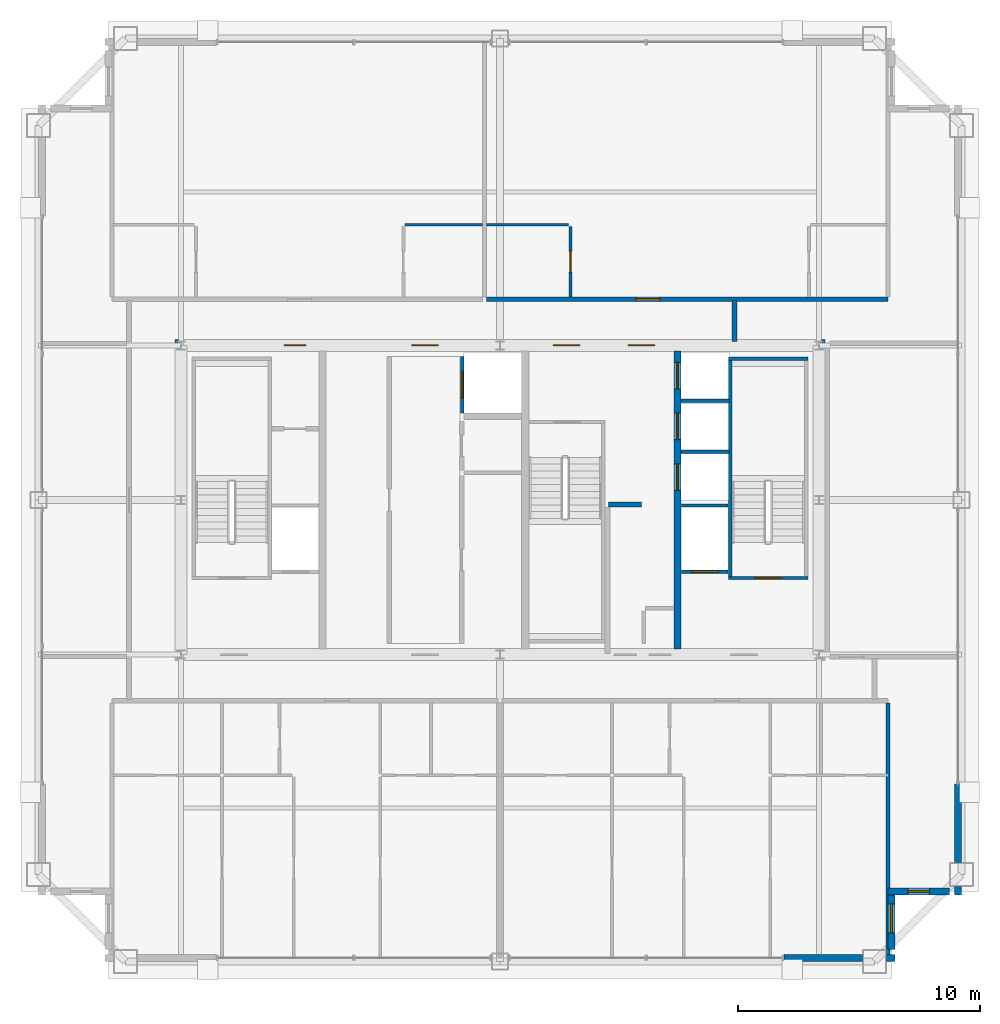
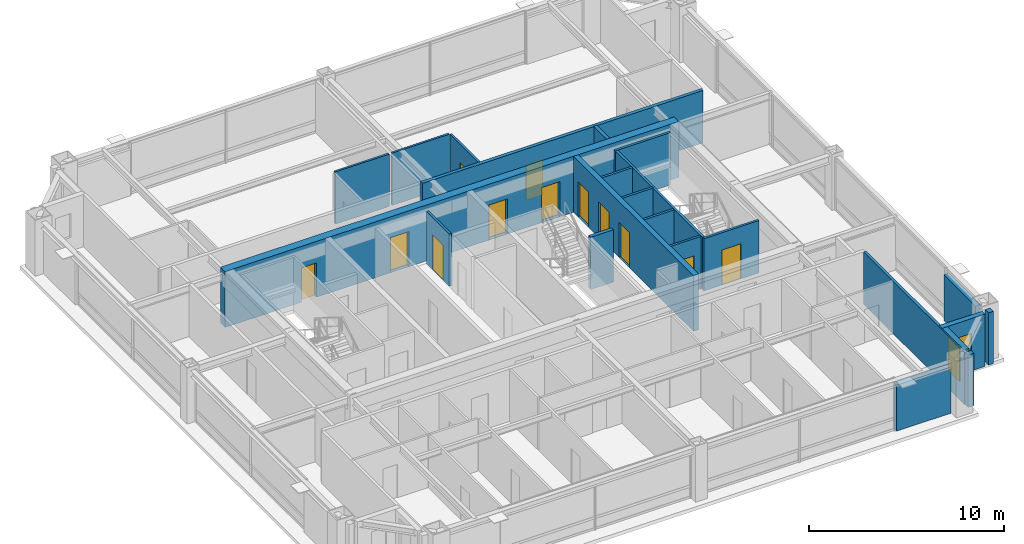
# One storey, part 32 of 34: 23 walls, 12 doors, 2 windows, 14 openings.
"""IFC4 building model written with IfcOpenShell, lengths in metres."""

from ifc_helpers import new_model, si_unit, direction, frame, frame_2d, origin, place, context, subcontext, project, spatial, rectangle, extrude, source, transform, mapped, material, layer, layer_set, type_object, element, fill, save


model = new_model("IFC4")

# Units and contexts
model_context = context("Model", 3, precision=1e-05, world=origin(), true_north=direction((0.0, 1.0)))
body_context = subcontext(model_context, "Body", "Model", "MODEL_VIEW")
ifc_project = project(units=[si_unit("LENGTHUNIT", "METRE"), si_unit("AREAUNIT", "SQUARE_METRE"), si_unit("VOLUMEUNIT", "CUBIC_METRE"), si_unit("PLANEANGLEUNIT", "RADIAN"), si_unit("MASSUNIT", "GRAM", prefix="KILO"), si_unit("THERMODYNAMICTEMPERATUREUNIT", "KELVIN"), si_unit("POWERUNIT", "WATT")], contexts=[model_context])

# Site, building, storey
site_placement = place(None, origin())
site = spatial("IfcSite", under=ifc_project, at=site_placement, CompositionType="ELEMENT")
building_placement = place(site_placement, origin())
building = spatial("IfcBuilding", under=site, at=building_placement, Name="Yuzanri Waterfront Tower", CompositionType="ELEMENT")
storey_placement = place(building_placement, frame((0.0, 0.0, 325.199951171875)))
storey = spatial("IfcBuildingStorey", under=building, at=storey_placement, Name="L87", CompositionType="ELEMENT", Elevation=325.199951171875)

# Wall, opening, door
ifc_material_1 = material(Name="Moisture-Resistant Gypsum Stud Wall", Category="gypsum")
ifc_layer_1 = layer(ifc_material_1, 0.1201171875)
ifc_layer_set_1 = layer_set([ifc_layer_1], Name="Moisture-Resistant Gypsum Stud Wall")
wall_type_1 = type_object("IfcWallType", Name="Bathroom and Kitchen Wet Partition 120", PredefinedType="PARTITIONING", material=ifc_layer_set_1)
wall_1_placement = place(storey_placement, frame((39.91796875, 34.2099609375, 0.0), z_axis=(0.0, 0.0, 1.0), x_axis=(0.0, 1.0, 0.0)))
wall_1 = element("IfcWall", 1, at=wall_1_placement, inside=storey, type_object=wall_type_1, Name="L87 Partition UW-L87-HN2-SUB-1-E", PredefinedType="PARTITIONING", context=body_context, shape_type="SweptSolid", body=[
    extrude(rectangle(XDim=2.900146484375, YDim=0.1201171875, at=frame_2d((1.4501953125, 0.0))), origin(), (0.0, 0.0, 1.0), 3.280029296875),
])
opening_1_placement = place(wall_1_placement, frame((1.02490234375, 0.0, 0.0)))
opening_1 = element("IfcOpeningElement", 2, at=opening_1_placement, cuts=wall_1, Name="Opening ID-0850", PredefinedType="OPENING", context=body_context, shape_type="SweptSolid", body=[
    extrude(rectangle(XDim=0.85009765625, YDim=2.10009765625, at=frame_2d((0.425048828125, 1.050048828125))), frame((0.0, 0.074951171875, 0.0), z_axis=(0.0, -1.0, 0.0), x_axis=(1.0, 0.0, 0.0)), (0.0, 0.0, 1.0), 0.14990234375),
])
ifc_material_2 = material(Name="Moisture-Resistant Lacquered Timber", Category="wood")
door_type_1 = type_object("IfcDoorType", Name="En-Suite Bathroom and Kitchen Swing Door 850x2100", OperationType="NOTDEFINED", PredefinedType="DOOR", material=ifc_material_2)
shared_shape_1 = source(origin(), body_context, "Body", "SweptSolid", [
    extrude(rectangle(XDim=0.85009765625, YDim=2.10009765625, at=frame_2d((0.425048828125, 1.050048828125))), frame((0.0, 0.02490234375, 0.0), z_axis=(0.0, -1.0, 0.0), x_axis=(1.0, 0.0, 0.0)), (0.0, 0.0, 1.0), 0.050048828125),
])
door_1_placement = place(opening_1_placement, origin())
door_1 = element("IfcDoor", 3, at=door_1_placement, inside=storey, type_object=door_type_1, Name="L87 Suite Interior Room Door", OperationType="SINGLE_SWING_RIGHT", OverallHeight=2.10009765625, OverallWidth=0.85009765625, PredefinedType="DOOR", context=body_context, shape_type="MappedRepresentation", body=[
    mapped(shared_shape_1, transform((0.0, 0.0, 0.0), scale=1.0)),
])
fill(opening_1, door_1)

# Wall, opening, window
ifc_material_3 = material(Name="Honed Chongqing Dark Basalt Stone", Category="masonry")
ifc_layer_2 = layer(ifc_material_3, 0.300048828125)
ifc_layer_set_2 = layer_set([ifc_layer_2], Name="Honed Chongqing Dark Basalt Stone")
wall_type_2 = type_object("IfcWallType", Name="Bronze Rainscreen Insulated Spandrel Portal Wall 300", PredefinedType="SOLIDWALL", material=ifc_layer_set_2)
wall_2_placement = place(storey_placement, frame((53.050048828125, 9.60009765625, 0.0), z_axis=(0.0, 0.0, 1.0), x_axis=(1.0, 0.0, 0.0)))
wall_2 = element("IfcWall", 4, at=wall_2_placement, inside=storey, type_object=wall_type_2, Name="L87 Notched Corner Masonry Wall SE-X", PredefinedType="SOLIDWALL", context=body_context, shape_type="SweptSolid", body=[
    extrude(rectangle(XDim=2.550048828125, YDim=0.300048828125, at=frame_2d((1.27490234375, 0.0))), origin(), (0.0, 0.0, 1.0), 3.280029296875),
])
opening_2_placement = place(wall_2_placement, frame((0.824951171875, 0.0, 0.85009765625)))
opening_2 = element("IfcOpeningElement", 5, at=opening_2_placement, cuts=wall_2, Name="Opening WN-05", PredefinedType="OPENING", context=body_context, shape_type="SweptSolid", body=[
    extrude(rectangle(XDim=0.89990234375, YDim=1.5, at=frame_2d((0.449951171875, 0.75))), frame((0.0, 0.1650390625, 0.0), z_axis=(0.0, -1.0, 0.0), x_axis=(1.0, 0.0, 0.0)), (0.0, 0.0, 1.0), 0.329833984375),
])
ifc_material_4 = material(Name="Double-Silver Low-E Insulated Glass", Category="glass")
window_type_1 = type_object("IfcWindowType", Name="Anodized Bronze Service and Stairwell Smoke-Vent Window 900x1500", PartitioningType="SINGLE_PANEL", PredefinedType="WINDOW", material=ifc_material_4)
shared_shape_2 = source(origin(), body_context, "Body", "SweptSolid", [
    extrude(rectangle(XDim=0.89990234375, YDim=1.5, at=frame_2d((0.449951171875, 0.75))), frame((0.0, 0.030029296875, 0.0), z_axis=(0.0, -1.0, 0.0), x_axis=(1.0, 0.0, 0.0)), (0.0, 0.0, 1.0), 0.06005859375),
])
window_1_placement = place(opening_2_placement, origin())
window_1 = element("IfcWindow", 6, at=window_1_placement, inside=storey, type_object=window_type_1, Name="L87 Notched Corner Window SE-X", OverallHeight=1.5, OverallWidth=0.89990234375, PartitioningType="SINGLE_PANEL", PredefinedType="WINDOW", context=body_context, shape_type="MappedRepresentation", body=[
    mapped(shared_shape_2, transform((0.0, 0.0, 0.0), scale=1.0)),
])
fill(opening_2, window_1)

wall_3_placement = place(storey_placement, frame((53.199951171875, 7.199951171875, 0.0), z_axis=(0.0, 0.0, 1.0), x_axis=(0.0, 1.0, 0.0)))
wall_3 = element("IfcWall", 7, at=wall_3_placement, inside=storey, type_object=wall_type_2, Name="L87 Notched Corner Masonry Wall SE-Y", PredefinedType="SOLIDWALL", context=body_context, shape_type="SweptSolid", body=[
    extrude(rectangle(XDim=2.550048828125, YDim=0.300048828125, at=frame_2d((1.27490234375, 0.0))), origin(), (0.0, 0.0, 1.0), 3.280029296875),
])
opening_3_placement = place(wall_3_placement, frame((0.675048828125, 0.0, 0.85009765625)))
opening_3 = element("IfcOpeningElement", 8, at=opening_3_placement, cuts=wall_3, Name="Opening WN-02", PredefinedType="OPENING", context=body_context, shape_type="SweptSolid", body=[
    extrude(rectangle(XDim=1.199951171875, YDim=2.10009765625, at=frame_2d((0.60009765625, 1.050048828125))), frame((0.0, 0.1650390625, 0.0), z_axis=(0.0, -1.0, 0.0), x_axis=(1.0, 0.0, 0.0)), (0.0, 0.0, 1.0), 0.329833984375),
])
ifc_material_5 = material(Name="Double-Silver Low-E Insulated Glass", Category="glass")
window_type_2 = type_object("IfcWindowType", Name="Anodized Bronze Notched Corner Deep-Set Slot Window 1200x2100", PartitioningType="SINGLE_PANEL", PredefinedType="WINDOW", material=ifc_material_5)
shared_shape_3 = source(origin(), body_context, "Body", "SweptSolid", [
    extrude(rectangle(XDim=1.199951171875, YDim=2.10009765625, at=frame_2d((0.60009765625, 1.050048828125))), frame((0.0, 0.030029296875, 0.0), z_axis=(0.0, -1.0, 0.0), x_axis=(1.0, 0.0, 0.0)), (0.0, 0.0, 1.0), 0.06005859375),
])
window_2_placement = place(opening_3_placement, origin())
window_2 = element("IfcWindow", 9, at=window_2_placement, inside=storey, type_object=window_type_2, Name="L87 Notched Corner Window SE-Y", OverallHeight=2.10009765625, OverallWidth=1.199951171875, PartitioningType="SINGLE_PANEL", PredefinedType="WINDOW", context=body_context, shape_type="MappedRepresentation", body=[
    mapped(shared_shape_3, transform((0.0, 0.0, 0.0), scale=1.0)),
])
fill(opening_3, window_2)

# Wall, openings, doors
ifc_material_6 = material(Name="Concrete C45", Category="concrete")
ifc_layer_3 = layer(ifc_material_6, 0.47998046875)
ifc_layer_set_3 = layer_set([ifc_layer_3], Name="Concrete C45")
wall_type_3 = type_object("IfcWallType", Name="Concrete C45 High-Rise Core Shear Wall 480", PredefinedType="SHEAR", material=ifc_layer_set_3)
wall_4_placement = place(storey_placement, frame((23.56005859375, 32.199951171875, 0.0), z_axis=(0.0, 0.0, 1.0), x_axis=(1.0, 0.0, 0.0)))
wall_4 = element("IfcWall", 10, at=wall_4_placement, inside=storey, type_object=wall_type_3, Name="L87 Core North Shear Wall", PredefinedType="SHEAR", context=body_context, shape_type="SweptSolid", body=[
    extrude(rectangle(XDim=26.8798828125, YDim=0.47998046875, at=frame_2d((13.43994140625, 0.0))), origin(), (0.0, 0.0, 1.0), 3.5),
])
opening_4_placement = place(wall_4_placement, frame((4.510009765625, 0.0, 0.0)))
opening_4 = element("IfcOpeningElement", 11, at=opening_4_placement, cuts=wall_4, Name="Opening FD-0900", PredefinedType="OPENING", context=body_context, shape_type="SweptSolid", body=[
    extrude(rectangle(XDim=0.89990234375, YDim=2.14990234375, at=frame_2d((0.449951171875, 1.074951171875))), frame((0.0, 0.2548828125, 0.0), z_axis=(0.0, -1.0, 0.0), x_axis=(1.0, 0.0, 0.0)), (0.0, 0.0, 1.0), 0.509765625),
])
opening_5_placement = place(wall_4_placement, frame((9.7900390625, 0.0, 0.0)))
opening_5 = element("IfcOpeningElement", 12, at=opening_5_placement, cuts=wall_4, Name="Opening FD-1100", PredefinedType="OPENING", context=body_context, shape_type="SweptSolid", body=[
    extrude(rectangle(XDim=1.10009765625, YDim=2.199951171875, at=frame_2d((0.550048828125, 1.10009765625))), frame((0.0, 0.2548828125, 0.0), z_axis=(0.0, -1.0, 0.0), x_axis=(1.0, 0.0, 0.0)), (0.0, 0.0, 1.0), 0.509765625),
])
opening_6_placement = place(wall_4_placement, frame((15.639892578125, 0.0, 0.0)))
opening_6 = element("IfcOpeningElement", 13, at=opening_6_placement, cuts=wall_4, Name="Opening FD-1100", PredefinedType="OPENING", context=body_context, shape_type="SweptSolid", body=[
    extrude(rectangle(XDim=1.10009765625, YDim=2.199951171875, at=frame_2d((0.550048828125, 1.10009765625))), frame((0.0, 0.2548828125, 0.0), z_axis=(0.0, -1.0, 0.0), x_axis=(1.0, 0.0, 0.0)), (0.0, 0.0, 1.0), 0.509765625),
])
opening_7_placement = place(wall_4_placement, frame((18.739990234375, 0.0, 0.0)))
opening_7 = element("IfcOpeningElement", 14, at=opening_7_placement, cuts=wall_4, Name="Opening FD-1100", PredefinedType="OPENING", context=body_context, shape_type="SweptSolid", body=[
    extrude(rectangle(XDim=1.10009765625, YDim=2.199951171875, at=frame_2d((0.550048828125, 1.10009765625))), frame((0.0, 0.2548828125, 0.0), z_axis=(0.0, -1.0, 0.0), x_axis=(1.0, 0.0, 0.0)), (0.0, 0.0, 1.0), 0.509765625),
])
ifc_material_7 = material(Name="Painted Galvanized Fire Steel", Category="steel")
door_type_2 = type_object("IfcDoorType", Name="Smoke-Proof Stair and Lobby Fire Door 1100x2200", OperationType="NOTDEFINED", PredefinedType="DOOR", material=ifc_material_7)
shared_shape_4 = source(origin(), body_context, "Body", "SweptSolid", [
    extrude(rectangle(XDim=1.10009765625, YDim=2.199951171875, at=frame_2d((0.550048828125, 1.10009765625))), frame((0.0, 0.02490234375, 0.0), z_axis=(0.0, -1.0, 0.0), x_axis=(1.0, 0.0, 0.0)), (0.0, 0.0, 1.0), 0.050048828125),
])
door_2_placement = place(opening_5_placement, origin())
door_2 = element("IfcDoor", 15, at=door_2_placement, inside=storey, type_object=door_type_2, Name="L87 Central Lift Lobby North Door", OperationType="SINGLE_SWING_LEFT", OverallHeight=2.199951171875, OverallWidth=1.10009765625, PredefinedType="DOOR", context=body_context, shape_type="MappedRepresentation", body=[
    mapped(shared_shape_4, transform((0.0, 0.0, 0.0), scale=1.0)),
])
fill(opening_5, door_2)
door_3_placement = place(opening_6_placement, origin())
door_3 = element("IfcDoor", 16, at=door_3_placement, inside=storey, type_object=door_type_2, Name="L87 North Stair Lobby Door", OperationType="SINGLE_SWING_RIGHT", OverallHeight=2.199951171875, OverallWidth=1.10009765625, PredefinedType="DOOR", context=body_context, shape_type="MappedRepresentation", body=[
    mapped(shared_shape_4, transform((0.0, 0.0, 0.0), scale=1.0)),
])
fill(opening_6, door_3)
door_4_placement = place(opening_7_placement, origin())
door_4 = element("IfcDoor", 17, at=door_4_placement, inside=storey, type_object=door_type_2, Name="L87 High-Rise Lift Lobby North Door", OperationType="SINGLE_SWING_LEFT", OverallHeight=2.199951171875, OverallWidth=1.10009765625, PredefinedType="DOOR", context=body_context, shape_type="MappedRepresentation", body=[
    mapped(shared_shape_4, transform((0.0, 0.0, 0.0), scale=1.0)),
])
fill(opening_7, door_4)
ifc_material_8 = material(Name="Painted Galvanized Fire Steel", Category="steel")
door_type_3 = type_object("IfcDoorType", Name="Riser and Service Room Fire Door 900x2150", OperationType="NOTDEFINED", PredefinedType="DOOR", material=ifc_material_8)
shared_shape_5 = source(origin(), body_context, "Body", "SweptSolid", [
    extrude(rectangle(XDim=0.89990234375, YDim=2.14990234375, at=frame_2d((0.449951171875, 1.074951171875))), frame((0.0, 0.02490234375, 0.0), z_axis=(0.0, -1.0, 0.0), x_axis=(1.0, 0.0, 0.0)), (0.0, 0.0, 1.0), 0.050048828125),
])
door_5_placement = place(opening_4_placement, origin())
door_5 = element("IfcDoor", 18, at=door_5_placement, inside=storey, type_object=door_type_3, Name="L87 Telecom Riser Door", OperationType="SINGLE_SWING_RIGHT", OverallHeight=2.14990234375, OverallWidth=0.89990234375, PredefinedType="DOOR", context=body_context, shape_type="MappedRepresentation", body=[
    mapped(shared_shape_5, transform((0.0, 0.0, 0.0), scale=1.0)),
])
fill(opening_4, door_5)

ifc_material_9 = material(Name="Concrete C50", Category="concrete")
ifc_layer_4 = layer(ifc_material_9, 0.300048828125)
ifc_layer_set_4 = layer_set([ifc_layer_4], Name="Concrete C50")
wall_type_4 = type_object("IfcWallType", Name="Concrete C50 Internal Core Shaft Structural Wall 300", PredefinedType="SOLIDWALL", material=ifc_layer_set_4)
wall_5_placement = place(storey_placement, frame((44.35009765625, 19.639892578125, 0.0), z_axis=(0.0, 0.0, 1.0), x_axis=(0.0, 1.0, 0.0)))
wall_5 = element("IfcWall", 19, at=wall_5_placement, inside=storey, type_object=wall_type_4, Name="L87 Core Internal Structural Web Wall 3", PredefinedType="SOLIDWALL", context=body_context, shape_type="SweptSolid", body=[
    extrude(rectangle(XDim=12.320068359375, YDim=0.300048828125, at=frame_2d((6.16015625, 0.0))), origin(), (0.0, 0.0, 1.0), 3.5),
])
opening_8_placement = place(wall_5_placement, frame((6.56005859375, 0.0, 0.0)))
opening_8 = element("IfcOpeningElement", 20, at=opening_8_placement, cuts=wall_5, Name="Opening LD-PL-09", PredefinedType="OPENING", context=body_context, shape_type="SweptSolid", body=[
    extrude(rectangle(XDim=1.10009765625, YDim=2.199951171875, at=frame_2d((0.550048828125, 1.10009765625))), frame((0.0, 0.1650390625, 0.0), z_axis=(0.0, -1.0, 0.0), x_axis=(1.0, 0.0, 0.0)), (0.0, 0.0, 1.0), 0.329833984375),
])
opening_9_placement = place(wall_5_placement, frame((8.659912109375, 0.0, 0.0)))
opening_9 = element("IfcOpeningElement", 21, at=opening_9_placement, cuts=wall_5, Name="Opening LD-PL-10", PredefinedType="OPENING", context=body_context, shape_type="SweptSolid", body=[
    extrude(rectangle(XDim=1.10009765625, YDim=2.199951171875, at=frame_2d((0.550048828125, 1.10009765625))), frame((0.0, 0.1650390625, 0.0), z_axis=(0.0, -1.0, 0.0), x_axis=(1.0, 0.0, 0.0)), (0.0, 0.0, 1.0), 0.329833984375),
])
opening_10_placement = place(wall_5_placement, frame((10.760009765625, 0.0, 0.0)))
opening_10 = element("IfcOpeningElement", 22, at=opening_10_placement, cuts=wall_5, Name="Opening LD-PL-11", PredefinedType="OPENING", context=body_context, shape_type="SweptSolid", body=[
    extrude(rectangle(XDim=1.10009765625, YDim=2.199951171875, at=frame_2d((0.550048828125, 1.10009765625))), frame((0.0, 0.1650390625, 0.0), z_axis=(0.0, -1.0, 0.0), x_axis=(1.0, 0.0, 0.0)), (0.0, 0.0, 1.0), 0.329833984375),
])
ifc_material_10 = material(Name="Brushed Bronze and Stainless Steel Cab", Category="steel")
door_type_4 = type_object("IfcDoorType", Name="Center-Parting Bronze Lift Landing Sliding Door 1100x2200", OperationType="NOTDEFINED", PredefinedType="DOOR", material=ifc_material_10)
shared_shape_6 = source(origin(), body_context, "Body", "SweptSolid", [
    extrude(rectangle(XDim=1.10009765625, YDim=2.199951171875, at=frame_2d((0.550048828125, 1.10009765625))), frame((0.0, 0.02490234375, 0.0), z_axis=(0.0, -1.0, 0.0), x_axis=(1.0, 0.0, 0.0)), (0.0, 0.0, 1.0), 0.050048828125),
])
door_6_placement = place(opening_8_placement, origin())
door_6 = element("IfcDoor", 23, at=door_6_placement, inside=storey, type_object=door_type_4, Name="L87 PL-09 Lift Landing Sliding Door", OperationType="SLIDING_TO_LEFT", OverallHeight=2.199951171875, OverallWidth=1.10009765625, PredefinedType="DOOR", context=body_context, shape_type="MappedRepresentation", body=[
    mapped(shared_shape_6, transform((0.0, 0.0, 0.0), scale=1.0)),
])
fill(opening_8, door_6)
door_7_placement = place(opening_9_placement, origin())
door_7 = element("IfcDoor", 24, at=door_7_placement, inside=storey, type_object=door_type_4, Name="L87 PL-10 Lift Landing Sliding Door", OperationType="SLIDING_TO_RIGHT", OverallHeight=2.199951171875, OverallWidth=1.10009765625, PredefinedType="DOOR", context=body_context, shape_type="MappedRepresentation", body=[
    mapped(shared_shape_6, transform((0.0, 0.0, 0.0), scale=1.0)),
])
fill(opening_9, door_7)
door_8_placement = place(opening_10_placement, origin())
door_8 = element("IfcDoor", 25, at=door_8_placement, inside=storey, type_object=door_type_4, Name="L87 PL-11 Lift Landing Sliding Door", OperationType="SLIDING_TO_LEFT", OverallHeight=2.199951171875, OverallWidth=1.10009765625, PredefinedType="DOOR", context=body_context, shape_type="MappedRepresentation", body=[
    mapped(shared_shape_6, transform((0.0, 0.0, 0.0), scale=1.0)),
])
fill(opening_10, door_8)

# Wall, opening, door
ifc_material_11 = material(Name="Concrete C40", Category="concrete")
ifc_layer_5 = layer(ifc_material_11, 0.139892578125)
ifc_layer_set_5 = layer_set([ifc_layer_5], Name="Concrete C40")
wall_type_5 = type_object("IfcWallType", Name="Core Stair Liner and Hoistway Shaft Wall 140", PredefinedType="SOLIDWALL", material=ifc_layer_set_5)
wall_6_placement = place(storey_placement, frame((44.52001953125, 22.830078125, 0.0), z_axis=(0.0, 0.0, 1.0), x_axis=(1.0, 0.0, 0.0)))
wall_6 = element("IfcWall", 26, at=wall_6_placement, inside=storey, type_object=wall_type_5, Name="L87 Lift FL-02 Front Shaft Wall", PredefinedType="SOLIDWALL", context=body_context, shape_type="SweptSolid", body=[
    extrude(rectangle(XDim=1.919921875, YDim=0.139892578125, at=frame_2d((0.9599609375, 0.0))), origin(), (0.0, 0.0, 1.0), 3.280029296875),
])
opening_11_placement = place(wall_6_placement, frame((0.409912109375, 0.0, 0.0)))
opening_11 = element("IfcOpeningElement", 27, at=opening_11_placement, cuts=wall_6, Name="Opening LD-FL-02", PredefinedType="OPENING", context=body_context, shape_type="SweptSolid", body=[
    extrude(rectangle(XDim=1.10009765625, YDim=2.199951171875, at=frame_2d((0.550048828125, 1.10009765625))), frame((0.0, 0.0849609375, 0.0), z_axis=(0.0, -1.0, 0.0), x_axis=(1.0, 0.0, 0.0)), (0.0, 0.0, 1.0), 0.169677734375),
])
door_9_placement = place(opening_11_placement, origin())
door_9 = element("IfcDoor", 28, at=door_9_placement, inside=storey, type_object=door_type_4, Name="L87 FL-02 Lift Landing Sliding Door", OperationType="SLIDING_TO_RIGHT", OverallHeight=2.199951171875, OverallWidth=1.10009765625, PredefinedType="DOOR", context=body_context, shape_type="MappedRepresentation", body=[
    mapped(shared_shape_6, transform((0.0, 0.0, 0.0), scale=1.0)),
])
fill(opening_11, door_9)

wall_7_placement = place(storey_placement, frame((35.429931640625, 29.39990234375, 0.0), z_axis=(0.0, 0.0, 1.0), x_axis=(0.0, 1.0, 0.0)))
wall_7 = element("IfcWall", 29, at=wall_7_placement, inside=storey, type_object=wall_type_5, Name="L87 Lift SL-02 Front Shaft Wall", PredefinedType="SOLIDWALL", context=body_context, shape_type="SweptSolid", body=[
    extrude(rectangle(XDim=2.340087890625, YDim=0.139892578125, at=frame_2d((1.169921875, 0.0))), origin(), (0.0, 0.0, 1.0), 3.280029296875),
])
opening_12_placement = place(wall_7_placement, frame((0.6201171875, 0.0, 0.0)))
opening_12 = element("IfcOpeningElement", 30, at=opening_12_placement, cuts=wall_7, Name="Opening LD-SL-02", PredefinedType="OPENING", context=body_context, shape_type="SweptSolid", body=[
    extrude(rectangle(XDim=1.10009765625, YDim=2.199951171875, at=frame_2d((0.550048828125, 1.10009765625))), frame((0.0, 0.0849609375, 0.0), z_axis=(0.0, -1.0, 0.0), x_axis=(1.0, 0.0, 0.0)), (0.0, 0.0, 1.0), 0.169677734375),
])
door_10_placement = place(opening_12_placement, origin())
door_10 = element("IfcDoor", 31, at=door_10_placement, inside=storey, type_object=door_type_4, Name="L87 SL-02 Lift Landing Sliding Door", OperationType="SLIDING_TO_RIGHT", OverallHeight=2.199951171875, OverallWidth=1.10009765625, PredefinedType="DOOR", context=body_context, shape_type="MappedRepresentation", body=[
    mapped(shared_shape_6, transform((0.0, 0.0, 0.0), scale=1.0)),
])
fill(opening_12, door_10)

wall_8_placement = place(storey_placement, frame((46.4599609375, 22.570068359375, 0.0), z_axis=(0.0, 0.0, 1.0), x_axis=(1.0, 0.0, 0.0)))
wall_8 = element("IfcWall", 32, at=wall_8_placement, inside=storey, type_object=wall_type_5, Name="L87 Shaft Wall STW-L87-ST-02-S", PredefinedType="SOLIDWALL", context=body_context, shape_type="SweptSolid", body=[
    extrude(rectangle(XDim=3.280029296875, YDim=0.139892578125, at=frame_2d((1.64013671875, 0.0))), origin(), (0.0, 0.0, 1.0), 3.280029296875),
])
opening_13_placement = place(wall_8_placement, frame((1.090087890625, 0.0, 0.0)))
opening_13 = element("IfcOpeningElement", 33, at=opening_13_placement, cuts=wall_8, Name="Opening FD-1100", PredefinedType="OPENING", context=body_context, shape_type="SweptSolid", body=[
    extrude(rectangle(XDim=1.10009765625, YDim=2.199951171875, at=frame_2d((0.550048828125, 1.10009765625))), frame((0.0, 0.0849609375, 0.0), z_axis=(0.0, -1.0, 0.0), x_axis=(1.0, 0.0, 0.0)), (0.0, 0.0, 1.0), 0.169677734375),
])
door_11_placement = place(opening_13_placement, origin())
door_11 = element("IfcDoor", 34, at=door_11_placement, inside=storey, type_object=door_type_2, Name="L87 Stair ST-02 Fire Door", OperationType="SINGLE_SWING_LEFT", OverallHeight=2.199951171875, OverallWidth=1.10009765625, PredefinedType="DOOR", context=body_context, shape_type="MappedRepresentation", body=[
    mapped(shared_shape_4, transform((0.0, 0.0, 0.0), scale=1.0)),
])
fill(opening_13, door_11)

ifc_material_12 = material(Name="Autoclaved Aerated Concrete Blockwork", Category="masonry")
ifc_layer_6 = layer(ifc_material_12, 0.199951171875)
ifc_layer_set_6 = layer_set([ifc_layer_6], Name="Autoclaved Aerated Concrete Blockwork")
wall_type_6 = type_object("IfcWallType", Name="Corridor and Unit Party Fire Wall 200", PredefinedType="PARTITIONING", material=ifc_layer_set_6)
wall_9_placement = place(storey_placement, frame((36.43798828125, 34.110107421875, 0.0), z_axis=(0.0, 0.0, 1.0), x_axis=(1.0, 0.0, 0.0)))
wall_9 = element("IfcWall", 35, at=wall_9_placement, inside=storey, type_object=wall_type_6, Name="L87 Partition UW-L87-HN2-CS", PredefinedType="PARTITIONING", context=body_context, shape_type="SweptSolid", body=[
    extrude(rectangle(XDim=16.6220703125, YDim=0.199951171875, at=frame_2d((8.31103515625, 0.0))), origin(), (0.0, 0.0, 1.0), 3.280029296875),
])
opening_14_placement = place(wall_9_placement, frame((6.18603515625, 0.0, 0.0)))
opening_14 = element("IfcOpeningElement", 36, at=opening_14_placement, cuts=wall_9, Name="Opening FD-1000", PredefinedType="OPENING", context=body_context, shape_type="SweptSolid", body=[
    extrude(rectangle(XDim=1.0, YDim=2.199951171875, at=frame_2d((0.5, 1.10009765625))), frame((0.0, 0.11474609375, 0.0), z_axis=(0.0, -1.0, 0.0), x_axis=(1.0, 0.0, 0.0)), (0.0, 0.0, 1.0), 0.229736328125),
])
ifc_material_13 = material(Name="Engineered Oak Fire-Rated Timber", Category="wood")
door_type_5 = type_object("IfcDoorType", Name="Guestroom and Apartment Entrance Fire Door 1000x2200", OperationType="NOTDEFINED", PredefinedType="DOOR", material=ifc_material_13)
shared_shape_7 = source(origin(), body_context, "Body", "SweptSolid", [
    extrude(rectangle(XDim=1.0, YDim=2.199951171875, at=frame_2d((0.5, 1.10009765625))), frame((0.0, 0.02490234375, 0.0), z_axis=(0.0, -1.0, 0.0), x_axis=(1.0, 0.0, 0.0)), (0.0, 0.0, 1.0), 0.050048828125),
])
door_12_placement = place(opening_14_placement, origin())
door_12 = element("IfcDoor", 37, at=door_12_placement, inside=storey, type_object=door_type_5, Name="L87 Studio Living and Sleeping Room Entrance Door", OperationType="SINGLE_SWING_LEFT", OverallHeight=2.199951171875, OverallWidth=1.0, PredefinedType="DOOR", context=body_context, shape_type="MappedRepresentation", body=[
    mapped(shared_shape_7, transform((0.0, 0.0, 0.0), scale=1.0)),
])
fill(opening_14, door_12)

# Walls
shared_shape_8 = source(origin(), body_context, "Body", "SweptSolid", [
    extrude(rectangle(XDim=3.25, YDim=0.300048828125, at=frame_2d((1.625, 0.0))), origin(), (0.0, 0.0, 1.0), 2.885009765625),
])
for number, where, z_axis, x_axis, name in (
    (38, (48.75, 6.85009765625, 0.0), (0.0, 0.0, 1.0), (1.0, 0.0, 0.0), "L87 S Right Braced Masonry Shoulder"),
    (39, (55.949951171875, 10.800048828125, 0.0), (0.0, 0.0, 1.0), (0.0, 1.0, 0.0), "L87 E Left Braced Masonry Shoulder"),
):
    element("IfcWall", number, at=place(storey_placement, frame(where, z_axis=z_axis, x_axis=x_axis)), inside=storey, type_object=wall_type_2, Name=name, PredefinedType="SOLIDWALL", context=body_context, shape_type="MappedRepresentation", body=[
        mapped(shared_shape_8, transform((0.0, 0.0, 0.0), scale=1.0)),
    ])
shared_shape_9 = source(origin(), body_context, "Body", "SweptSolid", [
    extrude(rectangle(XDim=0.35009765625, YDim=0.300048828125, at=frame_2d((0.175048828125, 0.0))), origin(), (0.0, 0.0, 1.0), 3.280029296875),
])
for number, where, z_axis, x_axis, name in (
    (40, (53.0, 6.85009765625, 0.0), (0.0, 0.0, 1.0), (1.0, 0.0, 0.0), "L87 Corner Column Shoulder Return CSE"),
    (41, (55.949951171875, 9.449951171875, 0.0), (0.0, 0.0, 1.0), (0.0, 1.0, 0.0), "L87 Corner Column Shoulder Return CES"),
):
    element("IfcWall", number, at=place(storey_placement, frame(where, z_axis=z_axis, x_axis=x_axis)), inside=storey, type_object=wall_type_2, Name=name, PredefinedType="SOLIDWALL", context=body_context, shape_type="MappedRepresentation", body=[
        mapped(shared_shape_9, transform((0.0, 0.0, 0.0), scale=1.0)),
    ])
shared_shape_10 = source(origin(), body_context, "Body", "SweptSolid", [
    extrude(rectangle(XDim=1.919921875, YDim=0.139892578125, at=frame_2d((0.9599609375, 0.0))), origin(), (0.0, 0.0, 1.0), 3.280029296875),
])
wall_10_placement = place(storey_placement, frame((44.52001953125, 25.570068359375, 0.0), z_axis=(0.0, 0.0, 1.0), x_axis=(1.0, 0.0, 0.0)))
element("IfcWall", 42, at=wall_10_placement, inside=storey, type_object=wall_type_5, Name="L87 Lift FL-02 Back Shaft Wall", PredefinedType="SOLIDWALL", context=body_context, shape_type="MappedRepresentation", body=[
    mapped(shared_shape_10, transform((0.0, 0.0, 0.0), scale=1.0)),
])
shared_shape_11 = source(origin(), body_context, "Body", "SweptSolid", [
    extrude(rectangle(XDim=2.0, YDim=0.139892578125, at=frame_2d((1.0, 0.0))), origin(), (0.0, 0.0, 1.0), 3.280029296875),
])
for number, where, z_axis, x_axis, name in (
    (43, (44.5, 27.800048828125, 0.0), (0.0, 0.0, 1.0), (1.0, 0.0, 0.0), "L87 Lift PL-09 Divider Wall"),
    (44, (44.5, 29.89990234375, 0.0), (0.0, 0.0, 1.0), (1.0, 0.0, 0.0), "L87 Lift PL-10 Divider Wall"),
):
    element("IfcWall", number, at=place(storey_placement, frame(where, z_axis=z_axis, x_axis=x_axis)), inside=storey, type_object=wall_type_5, Name=name, PredefinedType="SOLIDWALL", context=body_context, shape_type="MappedRepresentation", body=[
        mapped(shared_shape_11, transform((0.0, 0.0, 0.0), scale=1.0)),
    ])
shared_shape_12 = source(origin(), body_context, "Body", "SweptSolid", [
    extrude(rectangle(XDim=3.280029296875, YDim=0.139892578125, at=frame_2d((1.64013671875, 0.0))), origin(), (0.0, 0.0, 1.0), 3.280029296875),
])
wall_11_placement = place(storey_placement, frame((46.4599609375, 31.64990234375, 0.0), z_axis=(0.0, 0.0, 1.0), x_axis=(1.0, 0.0, 0.0)))
element("IfcWall", 45, at=wall_11_placement, inside=storey, type_object=wall_type_5, Name="L87 Stair ST-02 North Shaft Wall", PredefinedType="SOLIDWALL", context=body_context, shape_type="MappedRepresentation", body=[
    mapped(shared_shape_12, transform((0.0, 0.0, 0.0), scale=1.0)),
])
shared_shape_13 = source(origin(), body_context, "Body", "SweptSolid", [
    extrude(rectangle(XDim=8.940185546875, YDim=0.139892578125, at=frame_2d((4.47021484375, 0.0))), origin(), (0.0, 0.0, 1.0), 3.280029296875),
])
wall_12_placement = place(storey_placement, frame((46.530029296875, 22.639892578125, 0.0), z_axis=(0.0, 0.0, 1.0), x_axis=(0.0, 1.0, 0.0)))
element("IfcWall", 46, at=wall_12_placement, inside=storey, type_object=wall_type_5, Name="L87 Stair ST-02 West Shaft Wall", PredefinedType="SOLIDWALL", context=body_context, shape_type="MappedRepresentation", body=[
    mapped(shared_shape_13, transform((0.0, 0.0, 0.0), scale=1.0)),
])
shared_shape_14 = source(origin(), body_context, "Body", "SweptSolid", [
    extrude(rectangle(XDim=1.35009765625, YDim=0.199951171875, at=frame_2d((0.675048828125, 0.0))), origin(), (0.0, 0.0, 1.0), 3.280029296875),
])
wall_13_placement = place(storey_placement, frame((41.5, 25.6201171875, 0.0), z_axis=(0.0, 0.0, 1.0), x_axis=(1.0, 0.0, 0.0)))
element("IfcWall", 47, at=wall_13_placement, inside=storey, type_object=wall_type_6, Name="L87 Core BOH Split Wall 1", PredefinedType="PARTITIONING", context=body_context, shape_type="MappedRepresentation", body=[
    mapped(shared_shape_14, transform((0.0, 0.0, 0.0), scale=1.0)),
])
shared_shape_15 = source(origin(), body_context, "Body", "SweptSolid", [
    extrude(rectangle(XDim=1.699951171875, YDim=0.199951171875, at=frame_2d((0.85009765625, 0.0))), origin(), (0.0, 0.0, 1.0), 3.280029296875),
])
wall_14_placement = place(storey_placement, frame((46.699951171875, 32.35009765625, 0.0), z_axis=(0.0, 0.0, 1.0), x_axis=(0.0, 1.0, 0.0)))
element("IfcWall", 48, at=wall_14_placement, inside=storey, type_object=wall_type_6, Name="L87 North Foyer East End Wall", PredefinedType="PARTITIONING", context=body_context, shape_type="MappedRepresentation", body=[
    mapped(shared_shape_15, transform((0.0, 0.0, 0.0), scale=1.0)),
])
ifc_material_14 = material(Name="Gypsum Fireboard Acoustic Stud Wall", Category="gypsum")
ifc_layer_7 = layer(ifc_material_14, 0.159912109375)
ifc_layer_set_7 = layer_set([ifc_layer_7], Name="Gypsum Fireboard Acoustic Stud Wall")
wall_type_7 = type_object("IfcWallType", Name="Acoustic Suite Demising Partition 160", PredefinedType="PARTITIONING", material=ifc_layer_set_7)
shared_shape_16 = source(origin(), body_context, "Body", "SweptSolid", [
    extrude(rectangle(XDim=10.389892578125, YDim=0.159912109375, at=frame_2d((5.19482421875, 0.0))), origin(), (0.0, 0.0, 1.0), 3.280029296875),
])
wall_15_placement = place(storey_placement, frame((53.050048828125, 7.0, 0.0), z_axis=(0.0, 0.0, 1.0), x_axis=(0.0, 1.0, 0.0)))
element("IfcWall", 49, at=wall_15_placement, inside=storey, type_object=wall_type_7, Name="L87 South Band East End Wall", PredefinedType="PARTITIONING", context=body_context, shape_type="MappedRepresentation", body=[
    mapped(shared_shape_16, transform((0.0, 0.0, 0.0), scale=1.0)),
])
shared_shape_17 = source(origin(), body_context, "Body", "SweptSolid", [
    extrude(rectangle(XDim=3.2001953125, YDim=0.1201171875, at=frame_2d((1.60009765625, 0.0))), origin(), (0.0, 0.0, 1.0), 3.280029296875),
])
wall_16_placement = place(storey_placement, frame((33.077880859375, 37.18994140625, 0.0), z_axis=(0.0, 0.0, 1.0), x_axis=(1.0, 0.0, 0.0)))
element("IfcWall", 50, at=wall_16_placement, inside=storey, type_object=wall_type_1, Name="L87 Partition UW-L87-HN1-SUB-2-N", PredefinedType="PARTITIONING", context=body_context, shape_type="MappedRepresentation", body=[
    mapped(shared_shape_17, transform((0.0, 0.0, 0.0), scale=1.0)),
])
shared_shape_18 = source(origin(), body_context, "Body", "SweptSolid", [
    extrude(rectangle(XDim=3.39990234375, YDim=0.1201171875, at=frame_2d((1.699951171875, 0.0))), origin(), (0.0, 0.0, 1.0), 3.280029296875),
])
wall_17_placement = place(storey_placement, frame((36.43798828125, 37.18994140625, 0.0), z_axis=(0.0, 0.0, 1.0), x_axis=(1.0, 0.0, 0.0)))
element("IfcWall", 51, at=wall_17_placement, inside=storey, type_object=wall_type_1, Name="L87 Partition UW-L87-HN2-SUB-1-N", PredefinedType="PARTITIONING", context=body_context, shape_type="MappedRepresentation", body=[
    mapped(shared_shape_18, transform((0.0, 0.0, 0.0), scale=1.0)),
])

save(model, "model.ifc")
